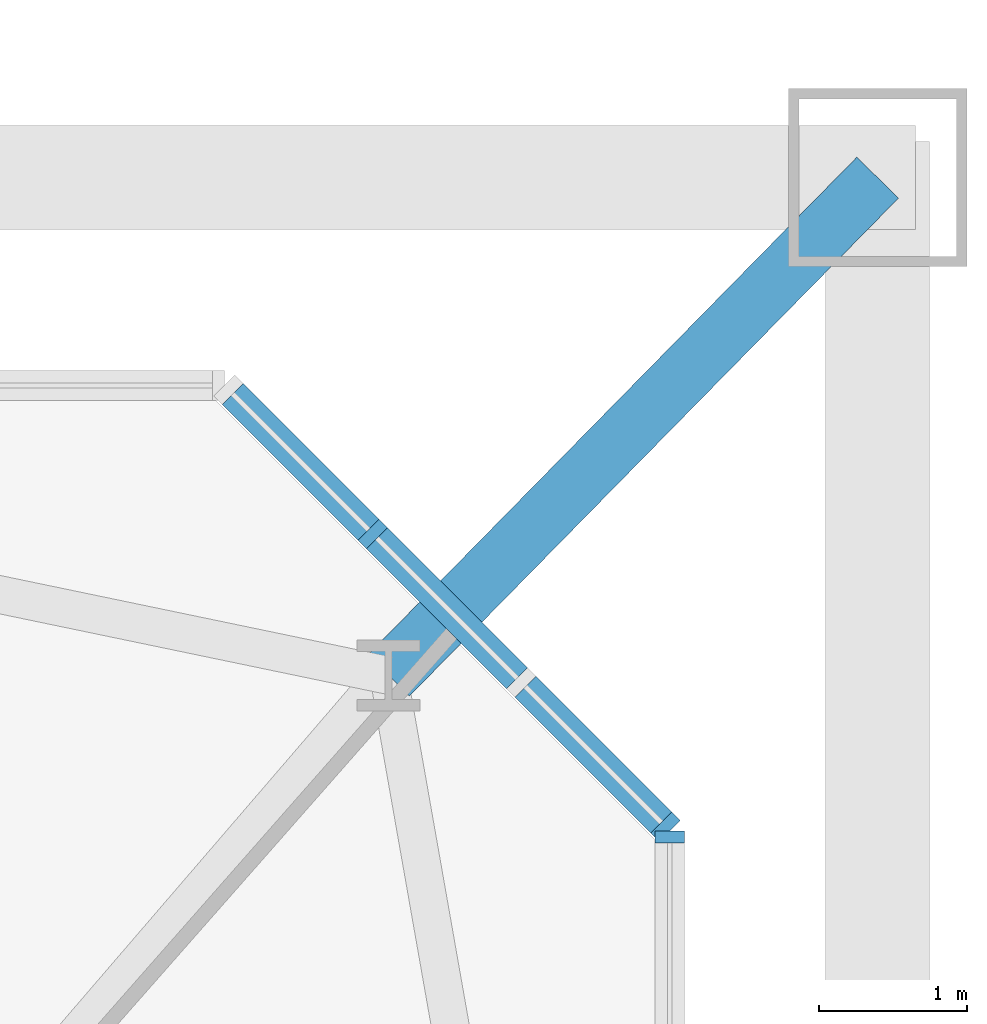
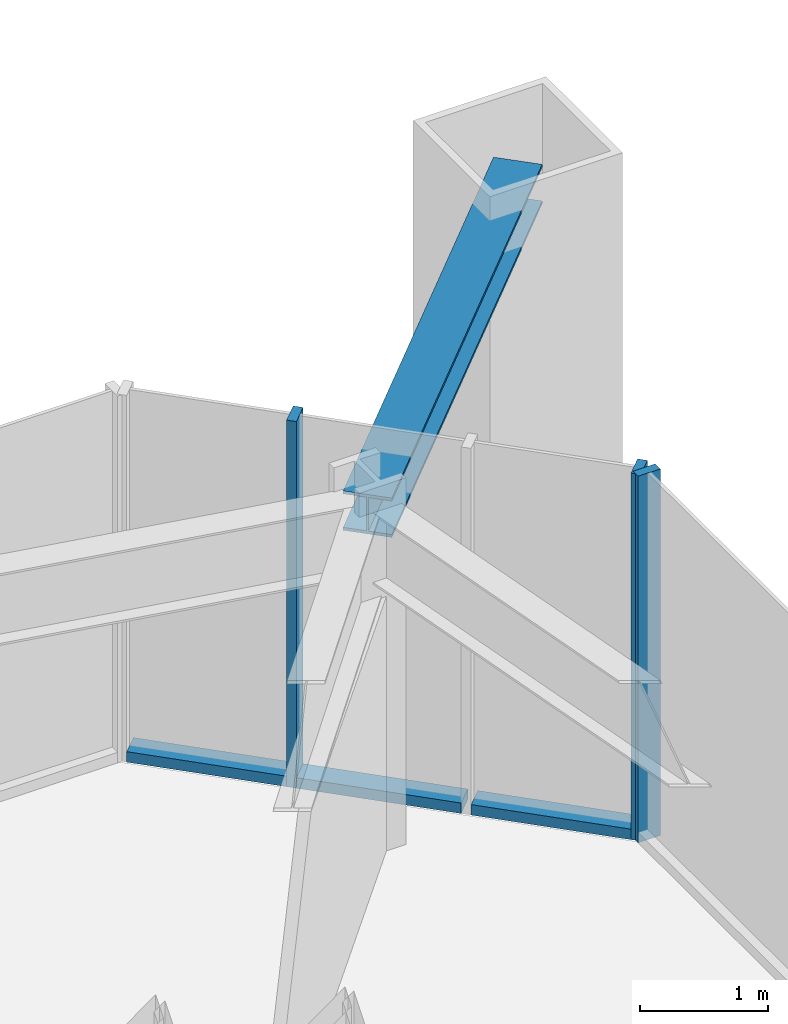
# One storey, part 13 of 28: 7 members, 2 elements without a shape of their own.
"""IFC4 building model written with IfcOpenShell, lengths in metres."""

from ifc_helpers import new_model, si_unit, direction, frame, origin, origin_2d, place, context, subcontext, project, spatial, rectangle, i_section, extrude, material, material_profile, profile_set, type_object, element, aggregate, save


model = new_model("IFC4")

# Units and contexts
model_context = context("Model", 3, precision=1e-05, world=origin(), true_north=direction((0.0, 1.0)))
body_context = subcontext(model_context, "Body", "Model", "MODEL_VIEW")
ifc_project = project(units=[si_unit("LENGTHUNIT", "METRE"), si_unit("AREAUNIT", "SQUARE_METRE"), si_unit("VOLUMEUNIT", "CUBIC_METRE"), si_unit("PLANEANGLEUNIT", "RADIAN"), si_unit("MASSUNIT", "GRAM", prefix="KILO")], contexts=[model_context])

# Site, building, storey
site_placement = place(None, origin())
site = spatial("IfcSite", under=ifc_project, at=site_placement, CompositionType="ELEMENT")
building_placement = place(site_placement, origin())
building = spatial("IfcBuilding", under=site, at=building_placement, Name="Iwan Alto Co-Living Towers", CompositionType="ELEMENT")
storey_placement = place(building_placement, frame((0.0, 0.0, 43.0)))
storey = spatial("IfcBuildingStorey", under=building, at=storey_placement, Name="L11", CompositionType="ELEMENT", Elevation=43.0)

# Curtain wall, member
ifc_material_1 = material(Name="Bronze aluminium unitised frame", Category="aluminium")
curtain_wall_type_1 = type_object("IfcCurtainWallType", Name="CURTAIN WALL CW-C", PredefinedType="NOTDEFINED", material=ifc_material_1)
curtain_wall_1_placement = place(storey_placement, origin())
curtain_wall_1 = element("IfcCurtainWall", 1, at=curtain_wall_1_placement, inside=storey, type_object=curtain_wall_type_1, Name="T2 curtain wall E L11", PredefinedType="NOTDEFINED")
ifc_material_2 = material(Name="Aluminium 6063-T6 bronze anodised", Category="aluminium")
ifc_material_profile_1 = material_profile(ifc_material_2, rectangle(XDim=0.199951171875, YDim=0.080078125, at=origin_2d()), Name="AL 80X200")
ifc_profile_set_1 = profile_set([ifc_material_profile_1], Name="Aluminium 6063-T6 bronze anodised")
member_type_1 = type_object("IfcMemberType", Name="CW-C MULLION 80X200", PredefinedType="MULLION", material=ifc_profile_set_1)
member_1_placement = place(storey_placement, frame((79.5, 15.7099609375, 0.0), z_axis=(0.0, 0.0, 1.0), x_axis=(-1.0, 0.0, 0.0)))
member_1 = element("IfcMember", 2, at=member_1_placement, type_object=member_type_1, Name="CW-C mullion 8", PredefinedType="MULLION", context=body_context, shape_type="SweptSolid", body=[
    extrude(rectangle(XDim=0.199951171875, YDim=0.080078125, at=origin_2d()), origin(), (0.0, 0.0, 1.0), 3.5),
])
aggregate(curtain_wall_1, [member_1])

# Curtain wall, members
ifc_material_3 = material(Name="Bronze aluminium unitised frame", Category="aluminium")
curtain_wall_type_2 = type_object("IfcCurtainWallType", Name="CURTAIN WALL CW-D", PredefinedType="NOTDEFINED", material=ifc_material_3)
curtain_wall_2_placement = place(storey_placement, origin())
curtain_wall_2 = element("IfcCurtainWall", 3, at=curtain_wall_2_placement, inside=storey, type_object=curtain_wall_type_2, Name="T2 chamfer curtain wall NE L11", PredefinedType="NOTDEFINED")
ifc_material_4 = material(Name="Aluminium 6063-T6 bronze anodised", Category="aluminium")
ifc_material_profile_2 = material_profile(ifc_material_4, rectangle(XDim=0.199951171875, YDim=0.080078125, at=origin_2d()), Name="AL 80X200")
ifc_profile_set_2 = profile_set([ifc_material_profile_2], Name="Aluminium 6063-T6 bronze anodised")
member_type_2 = type_object("IfcMemberType", Name="CW-D MULLION 80X200", PredefinedType="MULLION", material=ifc_profile_set_2)
member_2_placement = place(storey_placement, frame((79.4716796875, 15.7783203125, 0.0), z_axis=(0.0, 0.0, 1.0), x_axis=(-0.707106781187, -0.707106781187, 0.0)))
member_2 = element("IfcMember", 4, at=member_2_placement, type_object=member_type_2, Name="CW-D mullion 1", PredefinedType="MULLION", context=body_context, shape_type="SweptSolid", body=[
    extrude(rectangle(XDim=0.199951171875, YDim=0.080078125, at=origin_2d()), origin(), (0.0, 0.0, 1.0), 3.5),
])
member_3_placement = place(storey_placement, frame((77.5, 17.75, 0.0), z_axis=(0.0, 0.0, 1.0), x_axis=(-0.707106781187, -0.707106781187, 0.0)))
member_3 = element("IfcMember", 5, at=member_3_placement, type_object=member_type_2, Name="CW-D mullion 3", PredefinedType="MULLION", context=body_context, shape_type="SweptSolid", body=[
    extrude(rectangle(XDim=0.199951171875, YDim=0.080078125, at=origin_2d()), origin(), (0.0, 0.0, 1.0), 3.5),
])
ifc_material_5 = material(Name="Aluminium 6063-T6 bronze anodised", Category="aluminium")
ifc_material_profile_3 = material_profile(ifc_material_5, rectangle(XDim=0.199951171875, YDim=0.10009765625, at=origin_2d()), Name="AL 200X100")
ifc_profile_set_3 = profile_set([ifc_material_profile_3], Name="Aluminium 6063-T6 bronze anodised")
member_type_3 = type_object("IfcMemberType", Name="CW-D TRANSOM 200X100", PredefinedType="USERDEFINED", material=ifc_profile_set_3)
member_4_placement = place(storey_placement, frame((79.443359375, 15.806640625, 0.050048828125), z_axis=(-0.707106781187, 0.707106781187, 0.0), x_axis=(-0.707106781187, -0.707106781187, 0.0)))
member_4 = element("IfcMember", 6, at=member_4_placement, type_object=member_type_3, Name="CW-D transom 1.1", ObjectType="TRANSOM", PredefinedType="USERDEFINED", context=body_context, shape_type="SweptSolid", body=[
    extrude(rectangle(XDim=0.199951171875, YDim=0.10009765625, at=origin_2d()), origin(), (0.0, 0.0, 1.0), 1.2939453125),
])
member_5_placement = place(storey_placement, frame((78.4716796875, 16.7783203125, 0.050048828125), z_axis=(-0.707106781187, 0.707106781187, 0.0), x_axis=(-0.707106781187, -0.707106781187, 0.0)))
member_5 = element("IfcMember", 7, at=member_5_placement, type_object=member_type_3, Name="CW-D transom 2.1", ObjectType="TRANSOM", PredefinedType="USERDEFINED", context=body_context, shape_type="SweptSolid", body=[
    extrude(rectangle(XDim=0.199951171875, YDim=0.10009765625, at=origin_2d()), origin(), (0.0, 0.0, 1.0), 1.334228515625),
])
member_6_placement = place(storey_placement, frame((77.4716796875, 17.7783203125, 0.050048828125), z_axis=(-0.707106781187, 0.707106781187, 0.0), x_axis=(-0.707106781187, -0.707106781187, 0.0)))
member_6 = element("IfcMember", 8, at=member_6_placement, type_object=member_type_3, Name="CW-D transom 3.1", ObjectType="TRANSOM", PredefinedType="USERDEFINED", context=body_context, shape_type="SweptSolid", body=[
    extrude(rectangle(XDim=0.199951171875, YDim=0.10009765625, at=origin_2d()), origin(), (0.0, 0.0, 1.0), 1.2939453125),
])
aggregate(curtain_wall_2, [member_2, member_3, member_4, member_5, member_6])

# Member
ifc_material_6 = material(Name="Steel ASTM A992 Gr 50", Category="steel")
ifc_material_profile_4 = material_profile(ifc_material_6, i_section(OverallWidth=0.393798828125, OverallDepth=0.3759765625, WebThickness=0.017333984375, FlangeThickness=0.027587890625, at=origin_2d()), Name="W14X145")
ifc_profile_set_4 = profile_set([ifc_material_profile_4], Name="Steel ASTM A992 Gr 50")
member_type_4 = type_object("IfcMemberType", Name="T2 MEGA COLUMN FLOOR TIE W14X145", PredefinedType="STRUT", material=ifc_profile_set_4)
member_7_placement = place(storey_placement, frame((80.89990234375, 20.14990234375, 3.08203125), z_axis=(-0.700793469544, -0.71336422187, 0.0), x_axis=(0.71336422187, -0.700793469544, 0.0)))
element("IfcMember", 9, at=member_7_placement, inside=storey, type_object=member_type_4, Name="T2 mega column floor tie NE L12", PredefinedType="STRUT", context=body_context, shape_type="SweptSolid", body=[
    extrude(i_section(OverallWidth=0.393798828125, OverallDepth=0.3759765625, WebThickness=0.017333984375, FlangeThickness=0.027587890625, at=origin_2d()), origin(), (0.0, 0.0, 1.0), 4.699951171875),
])

save(model, "model.ifc")
